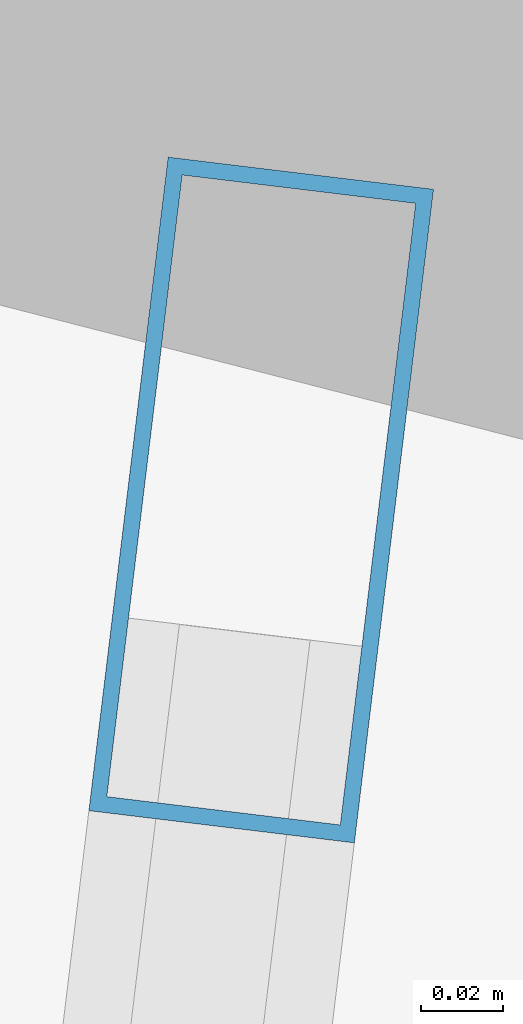
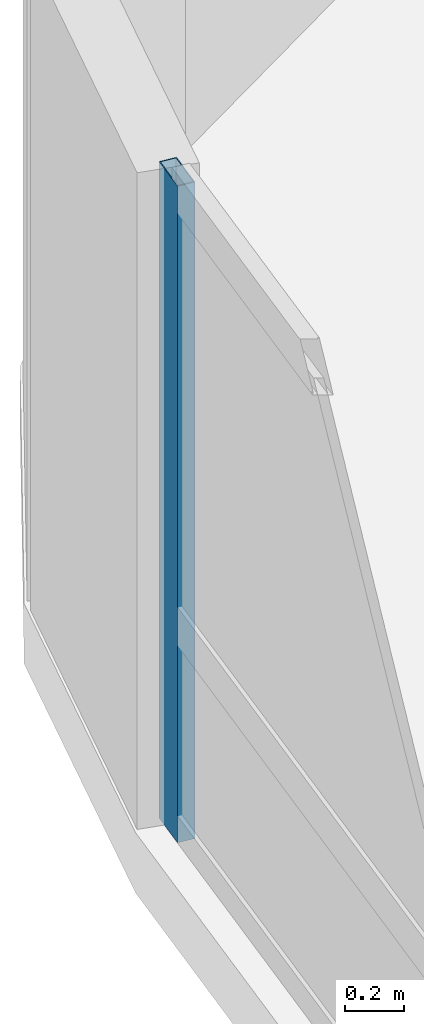
# One storey, part 12 of 26: 1 member, 1 element without a shape of its own.
"""IFC4 building model written with IfcOpenShell, lengths in metres."""

from ifc_helpers import new_model, si_unit, direction, frame, origin, origin_2d, place, context, subcontext, project, spatial, hollow_rectangle, extrude, material, layer, layer_set, material_profile, profile_set, type_object, element, aggregate, save


model = new_model("IFC4")

# Units and contexts
model_context = context("Model", 3, precision=1e-05, world=origin(), true_north=direction((0.0, 1.0)))
body_context = subcontext(model_context, "Body", "Model", "MODEL_VIEW")
ifc_project = project(units=[si_unit("LENGTHUNIT", "METRE"), si_unit("AREAUNIT", "SQUARE_METRE"), si_unit("VOLUMEUNIT", "CUBIC_METRE"), si_unit("PLANEANGLEUNIT", "RADIAN"), si_unit("MASSUNIT", "GRAM", prefix="KILO")], contexts=[model_context])

# Site, building, storey
site_placement = place(None, origin())
site = spatial("IfcSite", under=ifc_project, at=site_placement, CompositionType="ELEMENT")
building_placement = place(site_placement, origin())
building = spatial("IfcBuilding", under=site, at=building_placement, Name="Varnelok Gate Tower", CompositionType="ELEMENT")
storey_placement = place(building_placement, frame((0.0, 0.0, 155.0)))
storey = spatial("IfcBuildingStorey", under=building, at=storey_placement, Name="L39", CompositionType="ELEMENT", Elevation=155.0)

# Curtain wall, member
ifc_material = material(Name="Anodized Aluminum Alloy 6063-T6", Category="aluminium")
ifc_layer = layer(ifc_material, 0.179931640625)
ifc_layer_set = layer_set([ifc_layer], Name="Anodized Aluminum Alloy 6063-T6")
curtain_wall_type = type_object("IfcCurtainWallType", Name="CW3-HOTEL-VISION", PredefinedType="USERDEFINED", material=ifc_layer_set)
curtain_wall_placement = place(storey_placement, origin())
curtain_wall = element("IfcCurtainWall", 1, at=curtain_wall_placement, inside=storey, type_object=curtain_wall_type, Name="L39 West End Vision Curtain Wall", ObjectType="UNITISED CURTAIN WALL", PredefinedType="USERDEFINED")
ifc_material_profile = material_profile(ifc_material, hollow_rectangle(XDim=0.06494140625, YDim=0.159912109375, WallThickness=0.00390625, at=origin_2d()), Name="ALU160X65X4")
ifc_profile_set = profile_set([ifc_material_profile], Name="Anodized Aluminum Alloy 6063-T6")
member_type = type_object("IfcMemberType", Name="CW-MULL-160", PredefinedType="MULLION", material=ifc_profile_set)
member_placement = place(storey_placement, frame((4.57177734375, 47.596923828125, 0.0), z_axis=(0.0, 0.0, 1.0), x_axis=(-0.99273188146, 0.120347046212, 0.0)))
member = element("IfcMember", 2, at=member_placement, type_object=member_type, Name="CW3 mullion 6", PredefinedType="MULLION", context=body_context, shape_type="SweptSolid", body=[
    extrude(hollow_rectangle(XDim=0.06494140625, YDim=0.159912109375, WallThickness=0.00390625, at=origin_2d()), origin(), (0.0, 0.0, 1.0), 2.72998046875),
])
aggregate(curtain_wall, [member])

save(model, "model.ifc")
